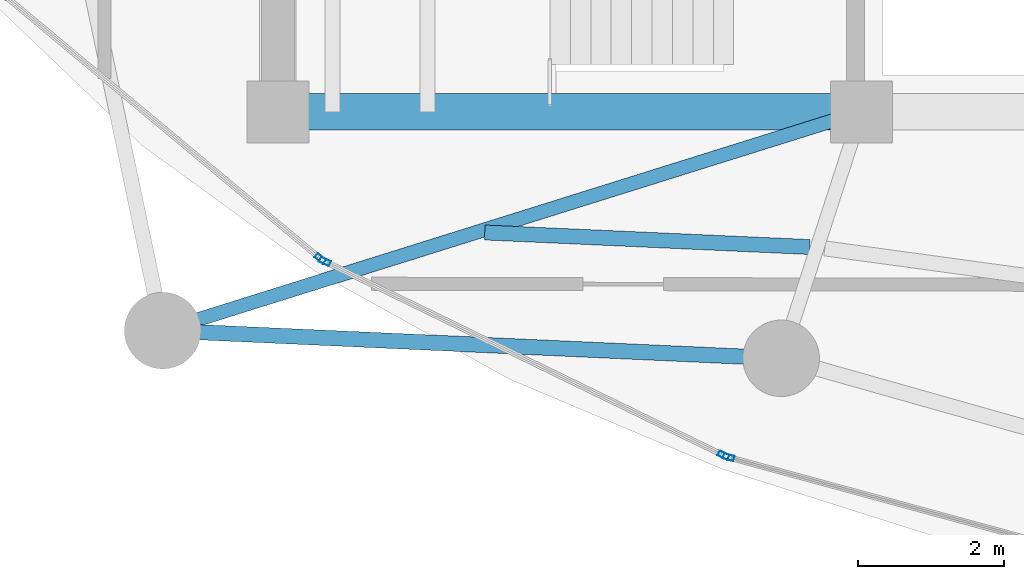
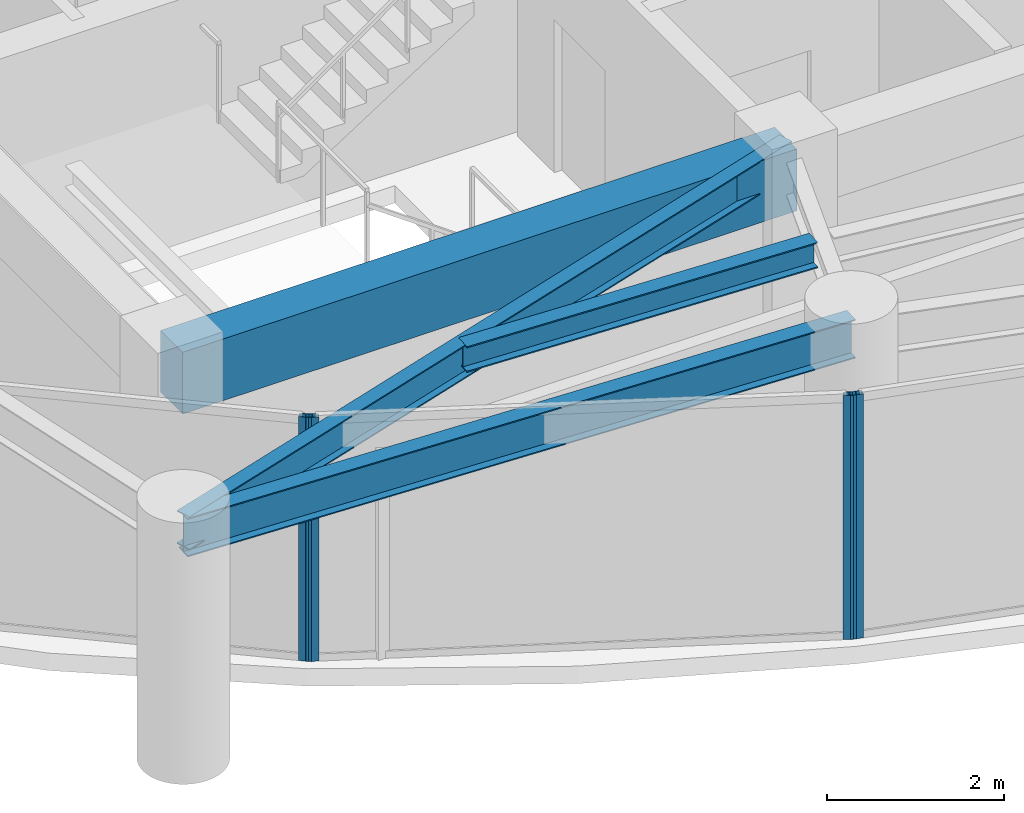
# One storey, part 2 of 31: 4 beams, 4 members, 3 elements without a shape of their own.
"""IFC4 building model written with IfcOpenShell, lengths in metres."""

from ifc_helpers import new_model, si_unit, direction, frame, origin, origin_2d, place, context, subcontext, project, spatial, rectangle, hollow_rectangle, i_section, extrude, material, layer, layer_set, material_profile, profile_set, type_object, element, aggregate, save


model = new_model("IFC4")

# Units and contexts
model_context = context("Model", 3, precision=1e-05, world=origin(), true_north=direction((0.0, 1.0)))
body_context = subcontext(model_context, "Body", "Model", "MODEL_VIEW")
ifc_project = project(units=[si_unit("LENGTHUNIT", "METRE"), si_unit("AREAUNIT", "SQUARE_METRE"), si_unit("VOLUMEUNIT", "CUBIC_METRE"), si_unit("PLANEANGLEUNIT", "RADIAN"), si_unit("MASSUNIT", "GRAM", prefix="KILO")], contexts=[model_context])

# Site, building, storey
site_placement = place(None, origin())
site = spatial("IfcSite", under=ifc_project, at=site_placement, CompositionType="ELEMENT")
building_placement = place(site_placement, origin())
building = spatial("IfcBuilding", under=site, at=building_placement, Name="Kazevale Care Tower and Concert Hall", CompositionType="ELEMENT")
storey_placement = place(building_placement, frame((0.0, 0.0, 217.199951171875)))
storey = spatial("IfcBuildingStorey", under=building, at=storey_placement, Name="L57", CompositionType="ELEMENT", Elevation=217.199951171875)

# Curtain wall, member
ifc_material_1 = material(Name="Aluminium 6063-T6 and Low-E Glass", Category="aluminium")
ifc_layer = layer(ifc_material_1, 0.179931640625)
ifc_layer_set = layer_set([ifc_layer], Name="Aluminium 6063-T6 and Low-E Glass")
curtain_wall_type = type_object("IfcCurtainWallType", Name="Sheltered Concave Balcony Curtain Wall CW-5", PredefinedType="NOTDEFINED", material=ifc_layer_set)
curtain_wall_1_placement = place(storey_placement, origin())
curtain_wall_1 = element("IfcCurtainWall", 1, at=curtain_wall_1_placement, inside=storey, type_object=curtain_wall_type, Name="cw:L57:f08", PredefinedType="NOTDEFINED")
ifc_material_2 = material(Name="Aluminium 6063-T6", Category="aluminium")
ifc_material_profile_1 = material_profile(ifc_material_2, hollow_rectangle(XDim=0.074951171875, YDim=0.14990234375, WallThickness=0.00390625, at=origin_2d()), Name="ALU75x150x4")
ifc_profile_set_1 = profile_set([ifc_material_profile_1], Name="Aluminium 6063-T6")
member_type = type_object("IfcMemberType", Name="CW-5 Mullion ALU75x150x4", PredefinedType="MULLION", material=ifc_profile_set_1)
member_1_placement = place(storey_placement, frame((28.18017578125, 18.863037109375, 0.0), z_axis=(0.0, 0.0, 1.0), x_axis=(-0.262848968947, -0.964836991167, 0.0)))
member_1 = element("IfcMember", 2, at=member_1_placement, type_object=member_type, Name="CW-5 mullion 2", PredefinedType="MULLION", context=body_context, shape_type="SweptSolid", body=[
    extrude(hollow_rectangle(XDim=0.074951171875, YDim=0.14990234375, WallThickness=0.00390625, at=origin_2d()), origin(), (0.0, 0.0, 1.0), 3.360107421875),
])
aggregate(curtain_wall_1, [member_1])

# Curtain wall, members
curtain_wall_2_placement = place(storey_placement, origin())
curtain_wall_2 = element("IfcCurtainWall", 3, at=curtain_wall_2_placement, inside=storey, type_object=curtain_wall_type, Name="cw:L57:f09", PredefinedType="NOTDEFINED")
member_2_placement = place(storey_placement, frame((28.1103515625, 18.889404296875, 0.0), z_axis=(0.0, 0.0, 1.0), x_axis=(-0.437238357087, -0.89934566163, 0.0)))
member_2 = element("IfcMember", 4, at=member_2_placement, type_object=member_type, Name="CW-5 mullion 1", PredefinedType="MULLION", context=body_context, shape_type="SweptSolid", body=[
    extrude(hollow_rectangle(XDim=0.074951171875, YDim=0.14990234375, WallThickness=0.00390625, at=origin_2d()), origin(), (0.0, 0.0, 1.0), 3.360107421875),
])
member_3_placement = place(storey_placement, frame((22.644775390625, 21.546630859375, 0.0), z_axis=(0.0, 0.0, 1.0), x_axis=(-0.437238357087, -0.89934566163, 0.0)))
member_3 = element("IfcMember", 5, at=member_3_placement, type_object=member_type, Name="CW-5 mullion 2", PredefinedType="MULLION", context=body_context, shape_type="SweptSolid", body=[
    extrude(hollow_rectangle(XDim=0.074951171875, YDim=0.14990234375, WallThickness=0.00390625, at=origin_2d()), origin(), (0.0, 0.0, 1.0), 3.360107421875),
])
aggregate(curtain_wall_2, [member_2, member_3])

# Curtain wall, member
curtain_wall_3_placement = place(storey_placement, origin())
curtain_wall_3 = element("IfcCurtainWall", 6, at=curtain_wall_3_placement, inside=storey, type_object=curtain_wall_type, Name="cw:L57:f10", PredefinedType="NOTDEFINED")
member_4_placement = place(storey_placement, frame((22.582275390625, 21.5869140625, 0.0), z_axis=(0.0, 0.0, 1.0), x_axis=(-0.639961217204, -0.768407210062, 0.0)))
member_4 = element("IfcMember", 7, at=member_4_placement, type_object=member_type, Name="CW-5 mullion 1", PredefinedType="MULLION", context=body_context, shape_type="SweptSolid", body=[
    extrude(hollow_rectangle(XDim=0.074951171875, YDim=0.14990234375, WallThickness=0.00390625, at=origin_2d()), origin(), (0.0, 0.0, 1.0), 3.360107421875),
])
aggregate(curtain_wall_3, [member_4])

# Beams
ifc_material_3 = material(Name="Concrete C60", Category="concrete")
ifc_material_profile_2 = material_profile(ifc_material_3, rectangle(XDim=0.5, YDim=0.85009765625, at=origin_2d()), Name="RC-B500x850")
ifc_profile_set_2 = profile_set([ifc_material_profile_2], Name="Concrete C60")
beam_type_1 = type_object("IfcBeamType", Name="Core Coupling Beam RC500x850", PredefinedType="LINTEL", material=ifc_profile_set_2)
beam_1_placement = place(storey_placement, frame((22.0, 23.60009765625, 2.93505859375), z_axis=(1.0, 0.0, 0.0), x_axis=(0.0, 1.0, 0.0)))
element("IfcBeam", 8, at=beam_1_placement, inside=storey, type_object=beam_type_1, Name="beam:L57:coretie:1", PredefinedType="LINTEL", context=body_context, shape_type="SweptSolid", body=[
    extrude(rectangle(XDim=0.5, YDim=0.85009765625, at=origin_2d()), origin(), (0.0, 0.0, 1.0), 8.0),
])
ifc_material_4 = material(Name="Steel ASTM A572 Gr 50", Category="steel")
ifc_material_profile_3 = material_profile(ifc_material_4, i_section(OverallWidth=0.19091796875, OverallDepth=0.4599609375, WebThickness=0.010009765625, FlangeThickness=0.01611328125, at=origin_2d()), Name="W460x82")
ifc_profile_set_3 = profile_set([ifc_material_profile_3], Name="Steel ASTM A572 Gr 50")
beam_type_2 = type_object("IfcBeamType", Name="Radial Floor Beam W460x82", PredefinedType="BEAM", material=ifc_profile_set_3)
beam_2_placement = place(storey_placement, frame((30.0, 23.60009765625, 3.130126953125), z_axis=(-0.954303255322, -0.298839918486, 0.0), x_axis=(0.298839918486, -0.954303255322, 0.0)))
element("IfcBeam", 9, at=beam_2_placement, inside=storey, type_object=beam_type_2, Name="beam:L57:rad:10", PredefinedType="BEAM", context=body_context, shape_type="SweptSolid", body=[
    extrude(i_section(OverallWidth=0.19091796875, OverallDepth=0.4599609375, WebThickness=0.010009765625, FlangeThickness=0.01611328125, at=origin_2d()), origin(), (0.0, 0.0, 1.0), 10.038818359375),
])
ifc_material_profile_4 = material_profile(ifc_material_4, i_section(OverallWidth=0.205078125, OverallDepth=0.35400390625, WebThickness=0.009521484375, FlangeThickness=0.016845703125, at=origin_2d()), Name="W360x79")
ifc_profile_set_4 = profile_set([ifc_material_profile_4], Name="Steel ASTM A572 Gr 50")
beam_type_3 = type_object("IfcBeamType", Name="Secondary Floor Joist W360x79", PredefinedType="JOIST", material=ifc_profile_set_4)
beam_3_placement = place(storey_placement, frame((24.8359375, 21.945068359375, 3.18310546875), z_axis=(0.999003687274, -0.044627713502, 0.0), x_axis=(0.044627713502, 0.999003687274, 0.0)))
element("IfcBeam", 10, at=beam_3_placement, inside=storey, type_object=beam_type_3, Name="beam:L57:joist:10", PredefinedType="JOIST", context=body_context, shape_type="SweptSolid", body=[
    extrude(i_section(OverallWidth=0.205078125, OverallDepth=0.35400390625, WebThickness=0.009521484375, FlangeThickness=0.016845703125, at=origin_2d()), origin(), (0.0, 0.0, 1.0), 4.45849609375),
])
ifc_material_profile_5 = material_profile(ifc_material_4, i_section(OverallWidth=0.208984375, OverallDepth=0.532958984375, WebThickness=0.01025390625, FlangeThickness=0.015625, at=origin_2d()), Name="W530x92")
ifc_profile_set_5 = profile_set([ifc_material_profile_5], Name="Steel ASTM A572 Gr 50")
beam_type_4 = type_object("IfcBeamType", Name="Upper Ring Beam W530x92", PredefinedType="BEAM", material=ifc_profile_set_5)
beam_4_placement = place(storey_placement, frame((20.419921875, 20.60009765625, 3.093505859375), z_axis=(0.998996808771, -0.044781425441, 0.0), x_axis=(0.044781425441, 0.998996808771, 0.0)))
element("IfcBeam", 11, at=beam_4_placement, inside=storey, type_object=beam_type_4, Name="beam:L57:ring:10", PredefinedType="BEAM", context=body_context, shape_type="SweptSolid", body=[
    extrude(i_section(OverallWidth=0.208984375, OverallDepth=0.532958984375, WebThickness=0.01025390625, FlangeThickness=0.015625, at=origin_2d()), origin(), (0.0, 0.0, 1.0), 8.488525390625),
])

save(model, "model.ifc")
